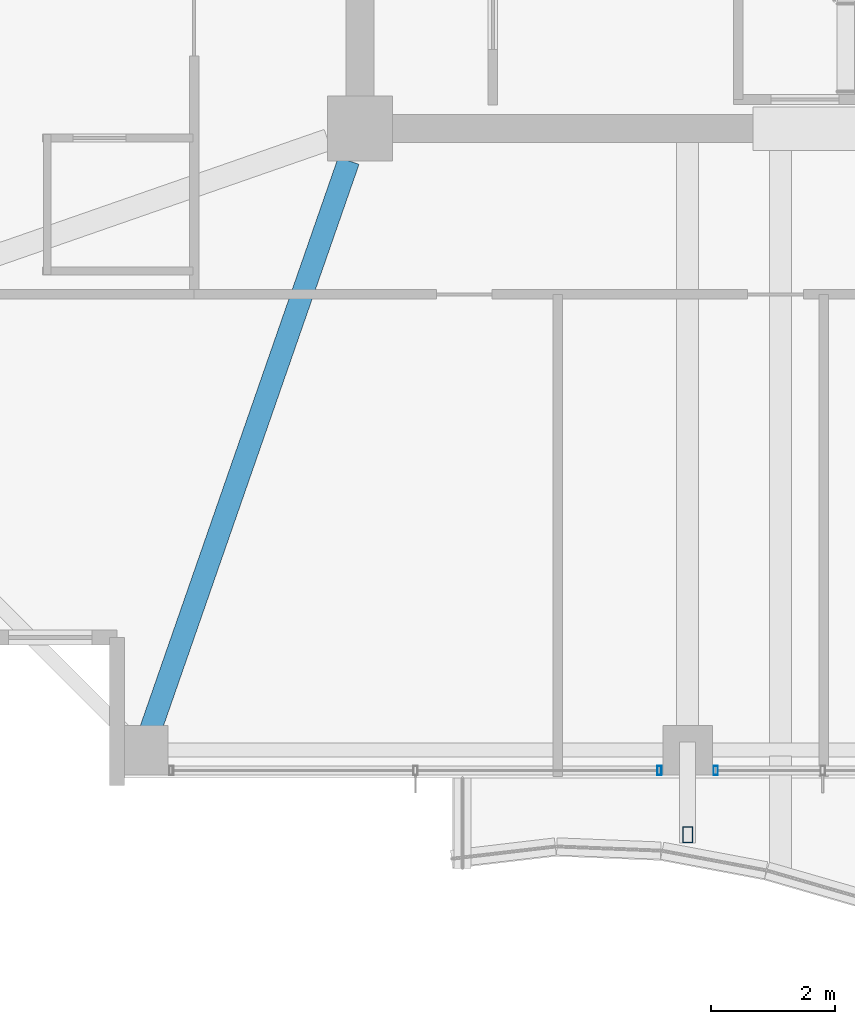
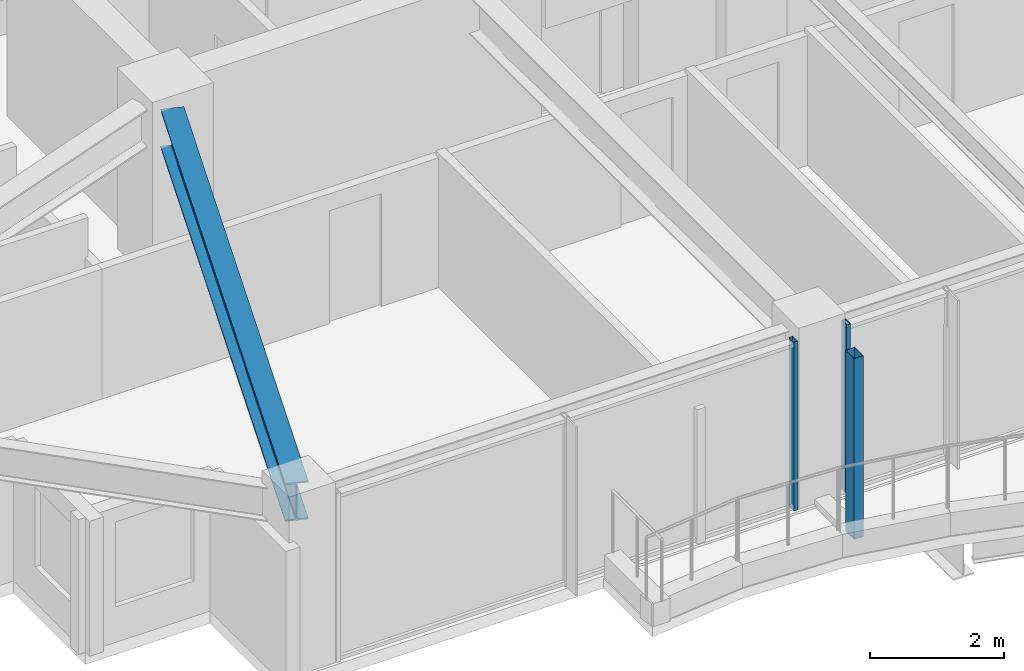
# One storey, part 4 of 38: 3 members, 1 beam, 2 elements without a shape of their own.
"""IFC4 building model written with IfcOpenShell, lengths in metres."""

from ifc_helpers import new_model, si_unit, direction, frame, origin, origin_2d, place, context, subcontext, project, spatial, hollow_rectangle, i_section, extrude, material, material_profile, profile_set, type_object, element, aggregate, save


model = new_model("IFC4")

# Units and contexts
model_context = context("Model", 3, precision=1e-05, world=origin(), true_north=direction((0.0, 1.0)))
body_context = subcontext(model_context, "Body", "Model", "MODEL_VIEW")
ifc_project = project(units=[si_unit("LENGTHUNIT", "METRE"), si_unit("AREAUNIT", "SQUARE_METRE"), si_unit("VOLUMEUNIT", "CUBIC_METRE"), si_unit("PLANEANGLEUNIT", "RADIAN"), si_unit("MASSUNIT", "GRAM", prefix="KILO")], contexts=[model_context])

# Site, building, storey
site_placement = place(None, origin())
site = spatial("IfcSite", under=ifc_project, at=site_placement, CompositionType="ELEMENT")
building_placement = place(site_placement, origin())
building = spatial("IfcBuilding", under=site, at=building_placement, Name="Kolvaren Belvedere", CompositionType="ELEMENT")
storey_placement = place(building_placement, frame((0.0, 0.0, 213.0)))
storey = spatial("IfcBuildingStorey", under=building, at=storey_placement, Name="L62", CompositionType="ELEMENT", Elevation=213.0)

# Beam
ifc_material_1 = material(Name="Structural steel ASTM A992 Grade 50", Category="steel")
ifc_material_profile_1 = material_profile(ifc_material_1, i_section(OverallWidth=0.35498046875, OverallDepth=0.696044921875, WebThickness=0.015380859375, FlangeThickness=0.02490234375, FilletRadius=0.02197265625, at=origin_2d()), Name="W27X146")
ifc_profile_set_1 = profile_set([ifc_material_profile_1], Name="Structural steel ASTM A992 Grade 50")
beam_type = type_object("IfcBeamType", Name="BM-GIRD-W27X146", PredefinedType="BEAM", material=ifc_profile_set_1)
beam_placement = place(storey_placement, frame((-10.080810546875, -10.41943359375, 2.73193359375), z_axis=(-0.328898147971, -0.944365399758, 0.0), x_axis=(0.944365399758, -0.328898147971, 0.0)))
element("IfcBeam", 1, at=beam_placement, inside=storey, type_object=beam_type, Name="L62 Corner Core-to-Perimeter Girder CC1-S1", PredefinedType="BEAM", context=body_context, shape_type="SweptSolid", body=[
    extrude(i_section(OverallWidth=0.35498046875, OverallDepth=0.696044921875, WebThickness=0.015380859375, FlangeThickness=0.02490234375, FilletRadius=0.02197265625, at=origin_2d()), origin(), (0.0, 0.0, 1.0), 9.931884765625),
])

# Curtain wall, member
ifc_material_2 = material(Name="Anodised pale-metal aluminium AA 6063-T6", Category="aluminium")
curtain_wall_type = type_object("IfcCurtainWallType", Name="CW-Z5-HIGH", PredefinedType="NOTDEFINED", material=ifc_material_2)
curtain_wall_1_placement = place(storey_placement, origin())
curtain_wall_1 = element("IfcCurtainWall", 2, at=curtain_wall_1_placement, inside=storey, type_object=curtain_wall_type, Name="L62 Unitised Curtain Wall FCW-L62-S2-B1", PredefinedType="NOTDEFINED")
ifc_material_3 = material(Name="Anodised pale-metal aluminium AA 6063-T6", Category="aluminium")
ifc_material_profile_2 = material_profile(ifc_material_3, hollow_rectangle(XDim=0.070068359375, YDim=0.14990234375, WallThickness=0.004150390625, at=origin_2d()), Name="ALU-MUL-150X70")
ifc_profile_set_2 = profile_set([ifc_material_profile_2], Name="Anodised pale-metal aluminium AA 6063-T6")
member_type_1 = type_object("IfcMemberType", Name="CW-MUL-150", PredefinedType="MULLION", material=ifc_profile_set_2)
member_1_placement = place(storey_placement, frame((-4.14501953125, -20.280029296875, 0.0), z_axis=(0.0, 0.0, 1.0), x_axis=(1.0, 0.0, 0.0)))
member_1 = element("IfcMember", 3, at=member_1_placement, type_object=member_type_1, Name="FCW-L62-S2-B1 Unitised Mullion 3", PredefinedType="MULLION", context=body_context, shape_type="SweptSolid", body=[
    extrude(hollow_rectangle(XDim=0.070068359375, YDim=0.14990234375, WallThickness=0.004150390625, at=origin_2d()), origin(), (0.0, 0.0, 1.0), 3.080078125),
])
aggregate(curtain_wall_1, [member_1])

curtain_wall_2_placement = place(storey_placement, origin())
curtain_wall_2 = element("IfcCurtainWall", 4, at=curtain_wall_2_placement, inside=storey, type_object=curtain_wall_type, Name="L62 Unitised Curtain Wall FCW-L62-S2-B2", PredefinedType="NOTDEFINED")
member_2_placement = place(storey_placement, frame((-5.054931640625, -20.280029296875, 0.0), z_axis=(0.0, 0.0, 1.0), x_axis=(1.0, 0.0, 0.0)))
member_2 = element("IfcMember", 5, at=member_2_placement, type_object=member_type_1, Name="FCW-L62-S2-B2 Unitised Mullion 1", PredefinedType="MULLION", context=body_context, shape_type="SweptSolid", body=[
    extrude(hollow_rectangle(XDim=0.070068359375, YDim=0.14990234375, WallThickness=0.004150390625, at=origin_2d()), origin(), (0.0, 0.0, 1.0), 3.080078125),
])
aggregate(curtain_wall_2, [member_2])

# Member
ifc_material_4 = material(Name="Anodised pale-metal aluminium AA 6063-T6", Category="aluminium")
ifc_material_profile_3 = material_profile(ifc_material_4, hollow_rectangle(XDim=0.159912109375, YDim=0.260009765625, WallThickness=0.006591796875, at=origin_2d()), Name="ALU-PF-260X160")
ifc_profile_set_3 = profile_set([ifc_material_profile_3], Name="Anodised pale-metal aluminium AA 6063-T6")
member_type_2 = type_object("IfcMemberType", Name="PF-FRAME-260", PredefinedType="USERDEFINED", material=ifc_profile_set_3)
member_3_placement = place(storey_placement, frame((-4.60009765625, -21.320068359375, 0.0), z_axis=(0.0, 0.0, 1.0), x_axis=(1.0, 0.0, 0.0)))
element("IfcMember", 6, at=member_3_placement, inside=storey, type_object=member_type_2, Name="L62 Outboard Picture-Frame Vertical S2", ObjectType="PICTURE FRAME FIN", PredefinedType="USERDEFINED", context=body_context, shape_type="SweptSolid", body=[
    extrude(hollow_rectangle(XDim=0.159912109375, YDim=0.260009765625, WallThickness=0.006591796875, at=origin_2d()), origin(), (0.0, 0.0, 1.0), 3.300048828125),
])

save(model, "model.ifc")
